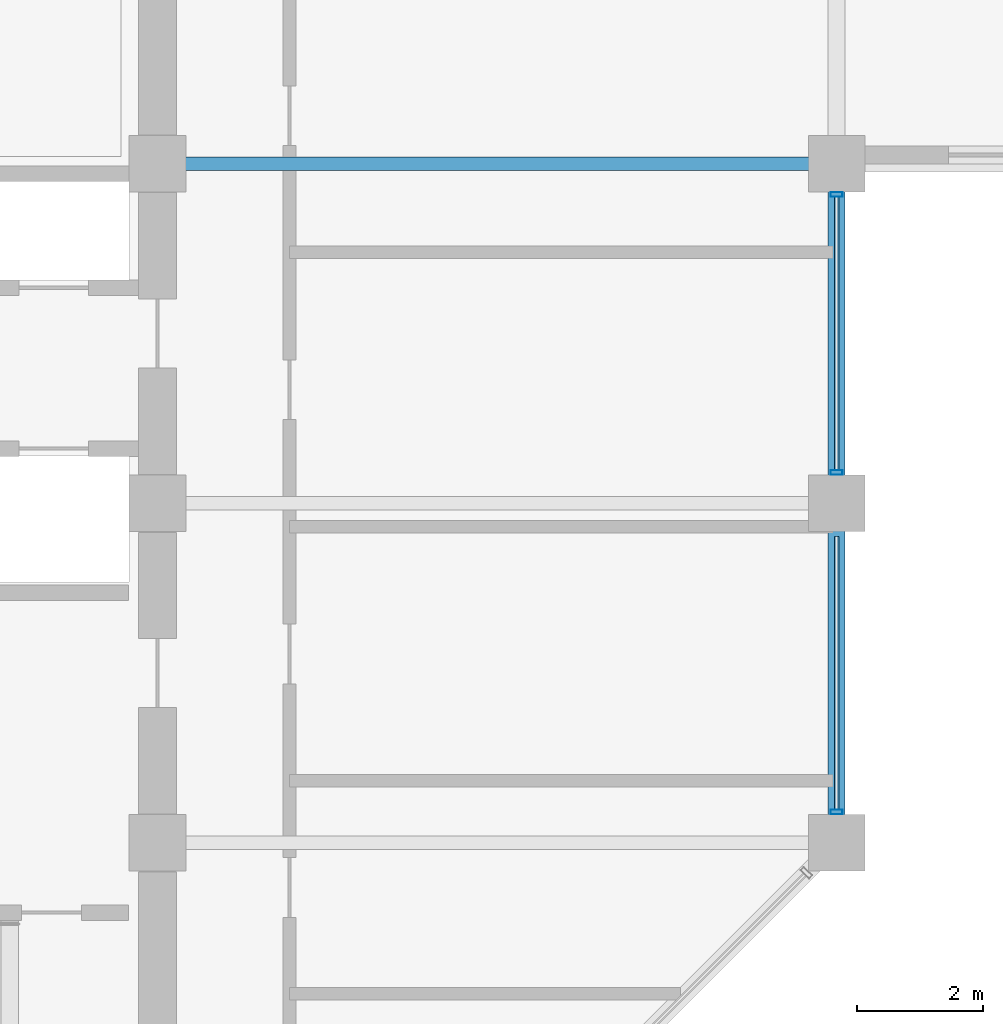
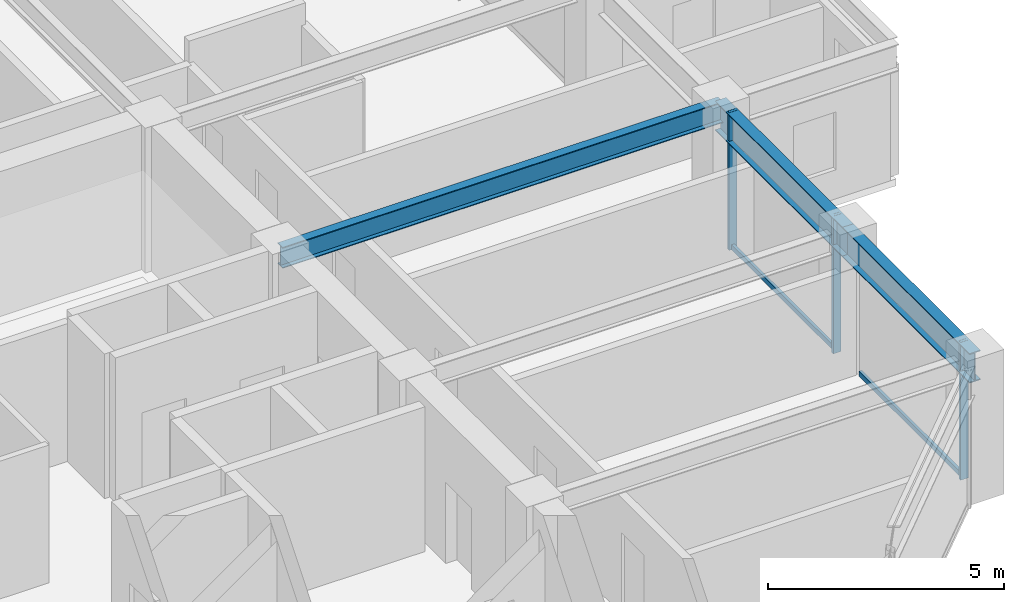
# One storey, part 11 of 28: 5 members, 3 beams, 1 element without a shape of its own.
"""IFC4 building model written with IfcOpenShell, lengths in metres."""

import ifcopenshell
import ifcopenshell.guid

model = None  # the IFC model being written
_history = None  # IfcOwnerHistory: only IFC2X3 demands one
_inside = {}  # id of a spatial element -> (the spatial element, [elements in it])
_under = {}  # id of a project, library or spatial element -> (it, [spatial elements below it])
_declared = {}  # id of a project -> (the project, [libraries it declares])
_typed = {}  # id of a type object -> (the type object, [elements of that type])
_made_of = {}  # id of a material, layer set ... -> (it, [elements and type objects made of it])


def new_model(schema):
    """Start an empty IFC model of exactly this schema.

    Asked for "IFC4X3", IfcOpenShell would pick the latest addendum, in which some entities
    have other attributes; the version numbers below select the first issue.
    IFC2X3 requires an IfcOwnerHistory on every rooted entity: one is made here for all.
    """
    global model, _history
    if schema == "IFC4X3":
        model = ifcopenshell.file(schema_version=(4, 3, 0, 0))
    else:
        model = ifcopenshell.file(schema=schema)
    _inside.clear()
    _under.clear()
    _declared.clear()
    _typed.clear()
    _made_of.clear()
    _history = None
    if model.schema == "IFC2X3":
        org = make("IfcOrganization", Name="unknown")
        user = make(
            "IfcPersonAndOrganization",
            ThePerson=make("IfcPerson", FamilyName="unknown"),
            TheOrganization=org,
        )
        app = make(
            "IfcApplication",
            ApplicationDeveloper=org,
            Version="unknown",
            ApplicationFullName="unknown",
            ApplicationIdentifier="unknown",
        )
        _history = make(
            "IfcOwnerHistory",
            OwningUser=user,
            OwningApplication=app,
            ChangeAction="ADDED",
            CreationDate=0,
        )
    return model


def make(cls, **values):
    """One entity of the class cls with the attributes given. An attribute that is None is left unset."""
    return model.create_entity(
        cls, **{name: value for name, value in values.items() if value is not None}
    )


def rooted(cls, **values):
    """An entity with a GlobalId (a new one), such as an element, a storey or a relation."""
    return make(cls, GlobalId=ifcopenshell.guid.new(), OwnerHistory=_history, **values)


def si_unit(unit_type, name, prefix=None):
    """IfcSIUnit, for example si_unit("LENGTHUNIT", "METRE", prefix="MILLI")."""
    return make("IfcSIUnit", UnitType=unit_type, Prefix=prefix, Name=name)


def assignment(units):
    """IfcUnitAssignment: the units of a project."""
    return None if units is None else make("IfcUnitAssignment", Units=units)


def point(xyz):
    """IfcCartesianPoint."""
    return None if xyz is None else make("IfcCartesianPoint", Coordinates=xyz)


def direction(xyz):
    """IfcDirection."""
    return None if xyz is None else make("IfcDirection", DirectionRatios=xyz)


def frame(location, z_axis=None, x_axis=None):
    """IfcAxis2Placement3D, a coordinate frame: its origin and axes. An axis left out is left unset."""
    return make(
        "IfcAxis2Placement3D",
        Location=point(location),
        Axis=direction(z_axis),
        RefDirection=direction(x_axis),
    )


def frame_2d(location, x_axis=None):
    """IfcAxis2Placement2D, a coordinate frame in the plane: its origin and x axis."""
    return make(
        "IfcAxis2Placement2D", Location=point(location), RefDirection=direction(x_axis)
    )


def origin():
    """The frame at (0, 0, 0) with its axes left unset."""
    return frame((0.0, 0.0, 0.0))


def origin_2d():
    """The frame at (0, 0) in the plane with its x axis left unset."""
    return frame_2d((0.0, 0.0))


def place(relative_to, where):
    """IfcLocalPlacement: puts the frame where relative to a parent placement (None: the world)."""
    return make(
        "IfcLocalPlacement", PlacementRelTo=relative_to, RelativePlacement=where
    )


def context(
    kind, dimensions, precision=None, world=None, true_north=None, identifier=None
):
    """IfcGeometricRepresentationContext, for example the 3D "Model" context."""
    return make(
        "IfcGeometricRepresentationContext",
        ContextIdentifier=identifier,
        ContextType=kind,
        CoordinateSpaceDimension=dimensions,
        Precision=precision,
        WorldCoordinateSystem=world,
        TrueNorth=true_north,
    )


def subcontext(parent, identifier, kind, view, scale=None):
    """IfcGeometricRepresentationSubContext, for example "Body" below "Model"."""
    return make(
        "IfcGeometricRepresentationSubContext",
        ContextIdentifier=identifier,
        ContextType=kind,
        ParentContext=parent,
        TargetScale=scale,
        TargetView=view,
    )


def project(units=None, contexts=None):
    """IfcProject with its units and contexts."""
    return rooted(
        "IfcProject",
        Name="project",
        RepresentationContexts=contexts,
        UnitsInContext=assignment(units),
    )


def spatial(cls, under=None, at=None, **own):
    """A site, building, storey or space (cls), placed at a placement, below another one or the project."""
    s = rooted(cls, ObjectPlacement=at, **own)
    if under is not None:
        _under.setdefault(under.id(), (under, []))[1].append(s)
    return s


def profile(cls, at=None, kind="AREA", **sizes):
    """A parametric profile (cls). Its sizes go by their IFC names, for example OverallWidth=200.0."""
    return make(cls, ProfileType=kind, Position=at, **sizes)


def hollow_rectangle(**sizes):
    """IfcRectangleHollowProfileDef."""
    return profile("IfcRectangleHollowProfileDef", **sizes)


def i_section(**sizes):
    """IfcIShapeProfileDef."""
    return profile("IfcIShapeProfileDef", **sizes)


def extrude(swept, where, along, depth):
    """IfcExtrudedAreaSolid: the profile swept, set in the frame where, extruded along a direction by depth."""
    return make(
        "IfcExtrudedAreaSolid",
        SweptArea=swept,
        Position=where,
        ExtrudedDirection=direction(along),
        Depth=depth,
    )


def shape(context_of_items, identifier, shape_type, items):
    """IfcShapeRepresentation: the items that make up one representation, for example the "Body"."""
    return make(
        "IfcShapeRepresentation",
        ContextOfItems=context_of_items,
        RepresentationIdentifier=identifier,
        RepresentationType=shape_type,
        Items=items,
    )


def material(Name=None, Category=None):
    """IfcMaterial."""
    return make("IfcMaterial", Name=Name, Category=Category)


def layer(
    of_material, thickness, ventilated=None, Name=None, Category=None, Priority=None
):
    """IfcMaterialLayer: one layer of a wall or slab, of a material (None: an air gap)."""
    return make(
        "IfcMaterialLayer",
        Material=of_material,
        LayerThickness=thickness,
        IsVentilated=ventilated,
        Name=Name,
        Category=Category,
        Priority=Priority,
    )


def layer_set(layers, Name=None):
    """IfcMaterialLayerSet."""
    return make("IfcMaterialLayerSet", MaterialLayers=layers, LayerSetName=Name)


def material_profile(
    of_material, cross_section, Name=None, Category=None, Priority=None
):
    """IfcMaterialProfile: a cross section and its material."""
    return make(
        "IfcMaterialProfile",
        Name=Name,
        Material=of_material,
        Profile=cross_section,
        Priority=Priority,
        Category=Category,
    )


def profile_set(profiles, Name=None, composite=None):
    """IfcMaterialProfileSet."""
    return make(
        "IfcMaterialProfileSet",
        Name=Name,
        MaterialProfiles=profiles,
        CompositeProfile=composite,
    )


def made_of(thing, what):
    """Note that an element or type object is made of a material, layer set ...; save() writes the relation."""
    if what is not None:
        _made_of.setdefault(what.id(), (what, []))[1].append(thing)
    return thing


def type_object(cls, material=None, **own):
    """A type object (cls), such as IfcWallType, which elements share."""
    return made_of(rooted(cls, **own), material)


def element(
    cls,
    number,
    at=None,
    inside=None,
    cuts=None,
    type_object=None,
    material=None,
    context=None,
    identifier="Body",
    shape_type=None,
    held_by="IfcProductDefinitionShape",
    body=None,
    shapes=None,
    **own,
):
    """One element of the class cls, such as IfcWall. Its Tag is "e" and its number.

    at: its placement. inside: the storey or other place that contains it. cuts: it is an
    opening in that element (IfcRelVoidsElement). A single representation is given by context,
    identifier, shape_type and body (its items); several are given by shapes. held_by: the class
    of the entity that holds the representations. save() writes the other relations.
    """
    e = rooted(cls, Tag="e%d" % number, ObjectPlacement=at, **own)
    if body is not None:
        shapes = [shape(context, identifier, shape_type, body)]
    if shapes is not None:
        e.Representation = make(held_by, Representations=shapes)
    if inside is not None:
        _inside.setdefault(inside.id(), (inside, []))[1].append(e)
    if cuts is not None:
        rooted(
            "IfcRelVoidsElement", RelatingBuildingElement=cuts, RelatedOpeningElement=e
        )
    if type_object is not None:
        _typed.setdefault(type_object.id(), (type_object, []))[1].append(e)
    return made_of(e, material)


def aggregate(whole, parts):
    """IfcRelAggregates: a whole, such as a stair, and the parts it consists of."""
    return rooted("IfcRelAggregates", RelatingObject=whole, RelatedObjects=parts)


def save(model, path):
    """Write the relations noted so far, then the file.

    IfcRelAggregates (storeys below a building ...), IfcRelContainedInSpatialStructure (elements
    in a storey), IfcRelDefinesByType, IfcRelAssociatesMaterial and IfcRelDeclares: one each for
    every whole, place, type object, material and project.
    """
    for whole, parts in _under.values():
        aggregate(whole, parts)
    for where, things in _inside.values():
        rooted(
            "IfcRelContainedInSpatialStructure",
            RelatedElements=things,
            RelatingStructure=where,
        )
    for kind, things in _typed.values():
        rooted("IfcRelDefinesByType", RelatedObjects=things, RelatingType=kind)
    for what, things in _made_of.values():
        rooted("IfcRelAssociatesMaterial", RelatedObjects=things, RelatingMaterial=what)
    for by, libraries in _declared.values():
        rooted("IfcRelDeclares", RelatingContext=by, RelatedDefinitions=libraries)
    model.write(path)


model = new_model("IFC4")

# Units and contexts
model_context = context("Model", 3, precision=1e-05, world=origin(), true_north=direction((0.0, 1.0)))
body_context = subcontext(model_context, "Body", "Model", "MODEL_VIEW")
ifc_project = project(units=[si_unit("LENGTHUNIT", "METRE"), si_unit("AREAUNIT", "SQUARE_METRE"), si_unit("VOLUMEUNIT", "CUBIC_METRE"), si_unit("PLANEANGLEUNIT", "RADIAN"), si_unit("MASSUNIT", "GRAM", prefix="KILO")], contexts=[model_context])

# Site, building, storey
site_placement = place(None, origin())
site = spatial("IfcSite", under=ifc_project, at=site_placement, CompositionType="ELEMENT")
building_placement = place(site_placement, origin())
building = spatial("IfcBuilding", under=site, at=building_placement, Name="Surkhivell Harbour Commons", CompositionType="ELEMENT")
storey_placement = place(building_placement, frame((0.0, 0.0, 174.75)))
storey = spatial("IfcBuildingStorey", under=building, at=storey_placement, Name="L45", CompositionType="ELEMENT", Elevation=174.75)

# Beams
ifc_material_1 = material(Name="Steel S355", Category="steel")
ifc_material_profile_1 = material_profile(ifc_material_1, i_section(OverallWidth=0.2119140625, OverallDepth=0.5439453125, WebThickness=0.0126953125, FlangeThickness=0.021240234375, at=origin_2d()), Name="UB533x210x122")
ifc_profile_set_1 = profile_set([ifc_material_profile_1], Name="Steel S355")
beam_type_1 = type_object("IfcBeamType", Name="BM-GRD-533A", PredefinedType="BEAM", material=ifc_profile_set_1)
beam_placement = place(storey_placement, frame((10.800048828125, 5.39990234375, 3.298095703125), z_axis=(1.0, 0.0, 0.0), x_axis=(0.0, 1.0, 0.0)))
element("IfcBeam", 1, at=beam_placement, inside=storey, type_object=beam_type_1, Name="L45 Cantilever Back-Span Girder (10.8,5.4)", PredefinedType="BEAM", context=body_context, shape_type="SweptSolid", body=[
    extrude(i_section(OverallWidth=0.2119140625, OverallDepth=0.5439453125, WebThickness=0.0126953125, FlangeThickness=0.021240234375, at=origin_2d()), origin(), (0.0, 0.0, 1.0), 10.800048828125),
])
ifc_material_profile_2 = material_profile(ifc_material_1, i_section(OverallWidth=0.26806640625, OverallDepth=0.77001953125, WebThickness=0.015625, FlangeThickness=0.025390625, at=origin_2d()), Name="UB762x267x197")
ifc_profile_set_2 = profile_set([ifc_material_profile_2], Name="Steel S355")
beam_type_2 = type_object("IfcBeamType", Name="BM-SPN-762", PredefinedType="SPANDREL", material=ifc_profile_set_2)
for number, where, z_axis, x_axis, name in (
    (2, (21.60009765625, -5.39990234375, 3.18505859375), (0.0, 1.0, 0.0), (-1.0, 0.0, 0.0), "L45 Tube Spandrel (21.6,-5.4)"),
    (3, (21.60009765625, 0.0, 3.18505859375), (0.0, 1.0, 0.0), (-1.0, 0.0, 0.0), "L45 Tube Spandrel (21.6,0.0)"),
):
    element("IfcBeam", number, at=place(storey_placement, frame(where, z_axis=z_axis, x_axis=x_axis)), inside=storey, type_object=beam_type_2, Name=name, PredefinedType="SPANDREL", context=body_context, shape_type="SweptSolid", body=[
        extrude(i_section(OverallWidth=0.26806640625, OverallDepth=0.77001953125, WebThickness=0.015625, FlangeThickness=0.025390625, at=origin_2d()), origin(), (0.0, 0.0, 1.0), 5.39990234375),
    ])

# Curtain wall, members
ifc_material_2 = material(Name="Anodised pale-metal aluminium and insulated glazing", Category="aluminium")
ifc_layer = layer(ifc_material_2, 0.18994140625)
ifc_layer_set = layer_set([ifc_layer], Name="Anodised pale-metal aluminium and insulated glazing")
curtain_wall_type = type_object("IfcCurtainWallType", Name="CW-SYS-Z3", PredefinedType="NOTDEFINED", material=ifc_layer_set)
curtain_wall_placement = place(storey_placement, origin())
curtain_wall = element("IfcCurtainWall", 4, at=curtain_wall_placement, inside=storey, type_object=curtain_wall_type, Name="L45 Curtain Wall CW-L45-E02R1", PredefinedType="NOTDEFINED")
ifc_material_3 = material(Name="Anodised pale-metal aluminium alloy 6063-T6", Category="aluminium")
ifc_material_profile_3 = material_profile(ifc_material_3, hollow_rectangle(XDim=0.074951171875, YDim=0.18994140625, WallThickness=0.00390625, at=origin_2d()), Name="ALU-MULL-75x190")
ifc_profile_set_3 = profile_set([ifc_material_profile_3], Name="Anodised pale-metal aluminium alloy 6063-T6")
member_type_1 = type_object("IfcMemberType", Name="CWM-190", PredefinedType="MULLION", material=ifc_profile_set_3)
member_1_placement = place(storey_placement, frame((21.60009765625, -4.910400390625, 0.0), z_axis=(0.0, 0.0, 1.0), x_axis=(0.0, 1.0, 0.0)))
member_1 = element("IfcMember", 5, at=member_1_placement, type_object=member_type_1, Name="CW-Z3 mullion 1", PredefinedType="MULLION", context=body_context, shape_type="SweptSolid", body=[
    extrude(hollow_rectangle(XDim=0.074951171875, YDim=0.18994140625, WallThickness=0.00390625, at=origin_2d()), origin(), (0.0, 0.0, 1.0), 3.570068359375),
])
member_2_placement = place(storey_placement, frame((21.60009765625, 0.489501953125, 0.0), z_axis=(0.0, 0.0, 1.0), x_axis=(0.0, 1.0, 0.0)))
member_2 = element("IfcMember", 6, at=member_2_placement, type_object=member_type_1, Name="CW-Z3 mullion 2", PredefinedType="MULLION", context=body_context, shape_type="SweptSolid", body=[
    extrude(hollow_rectangle(XDim=0.074951171875, YDim=0.18994140625, WallThickness=0.00390625, at=origin_2d()), origin(), (0.0, 0.0, 1.0), 3.570068359375),
])
member_3_placement = place(storey_placement, frame((21.60009765625, 4.910400390625, 0.0), z_axis=(0.0, 0.0, 1.0), x_axis=(0.0, 1.0, 0.0)))
member_3 = element("IfcMember", 7, at=member_3_placement, type_object=member_type_1, Name="CW-Z3 mullion 3", PredefinedType="MULLION", context=body_context, shape_type="SweptSolid", body=[
    extrude(hollow_rectangle(XDim=0.074951171875, YDim=0.18994140625, WallThickness=0.00390625, at=origin_2d()), origin(), (0.0, 0.0, 1.0), 3.570068359375),
])
ifc_material_4 = material(Name="Champagne anodised aluminium alloy 6063-T6", Category="aluminium")
ifc_material_profile_4 = material_profile(ifc_material_4, hollow_rectangle(XDim=0.070068359375, YDim=0.1298828125, WallThickness=0.00341796875, at=origin_2d()), Name="ALU-TRAN-70x130")
ifc_profile_set_4 = profile_set([ifc_material_profile_4], Name="Champagne anodised aluminium alloy 6063-T6")
member_type_2 = type_object("IfcMemberType", Name="CWT-130", PredefinedType="USERDEFINED", material=ifc_profile_set_4)
member_4_placement = place(storey_placement, frame((21.60009765625, -4.873046875, 0.06494140625), z_axis=(0.0, 1.0, 0.0), x_axis=(-1.0, 0.0, 0.0)))
member_4 = element("IfcMember", 8, at=member_4_placement, type_object=member_type_2, Name="CW-Z3 transom 1.1", ObjectType="TRANSOM", PredefinedType="USERDEFINED", context=body_context, shape_type="SweptSolid", body=[
    extrude(hollow_rectangle(XDim=0.070068359375, YDim=0.1298828125, WallThickness=0.00341796875, at=origin_2d()), origin(), (0.0, 0.0, 1.0), 4.345947265625),
])
member_5_placement = place(storey_placement, frame((21.60009765625, 0.527099609375, 0.06494140625), z_axis=(0.0, 1.0, 0.0), x_axis=(-1.0, 0.0, 0.0)))
member_5 = element("IfcMember", 9, at=member_5_placement, type_object=member_type_2, Name="CW-Z3 transom 2.1", ObjectType="TRANSOM", PredefinedType="USERDEFINED", context=body_context, shape_type="SweptSolid", body=[
    extrude(hollow_rectangle(XDim=0.070068359375, YDim=0.1298828125, WallThickness=0.00341796875, at=origin_2d()), origin(), (0.0, 0.0, 1.0), 4.345947265625),
])
aggregate(curtain_wall, [member_1, member_4, member_2, member_3, member_5])

save(model, "model.ifc")
